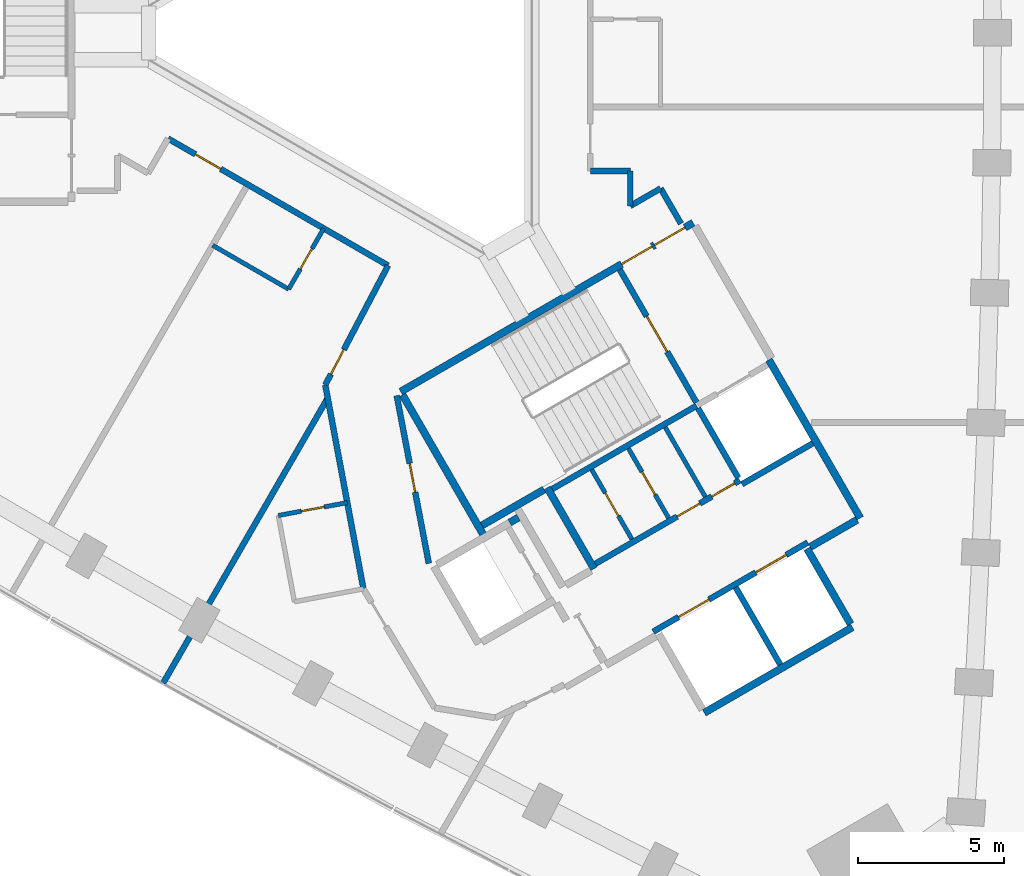
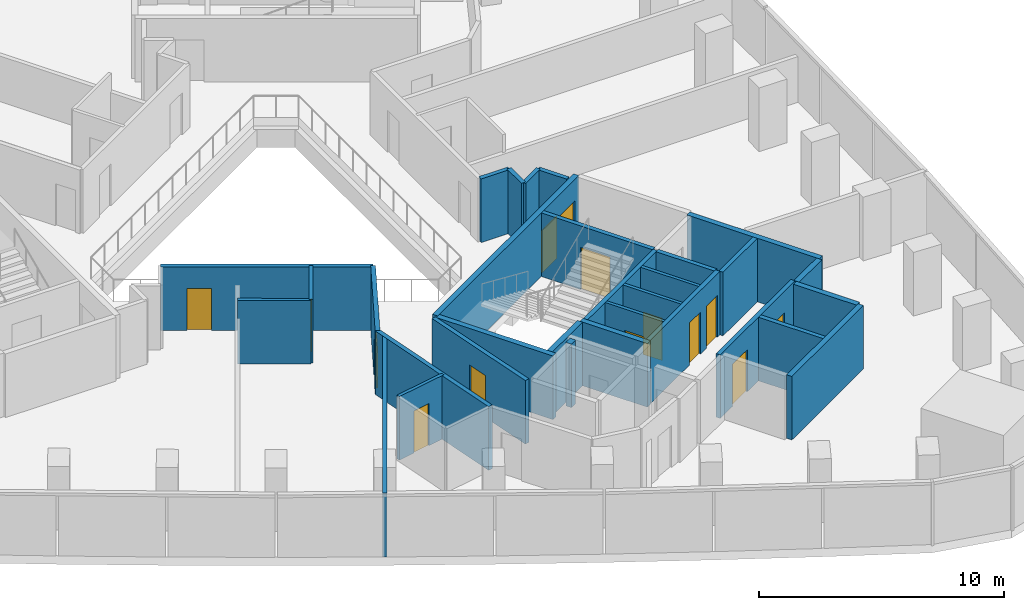
# One storey, part 8 of 12: 31 walls, 14 doors, 14 openings.
"""IFC4 building model written with IfcOpenShell, lengths in metres."""

from ifc_helpers import new_model, si_unit, direction, frame, frame_2d, origin, place, context, subcontext, project, spatial, rectangle, extrude, material, layer, layer_set, type_object, element, fill, save


model = new_model("IFC4")

# Units and contexts
model_context = context("Model", 3, precision=1e-05, world=origin(), true_north=direction((0.0, 1.0)))
body_context = subcontext(model_context, "Body", "Model", "MODEL_VIEW")
ifc_project = project(units=[si_unit("LENGTHUNIT", "METRE"), si_unit("AREAUNIT", "SQUARE_METRE"), si_unit("VOLUMEUNIT", "CUBIC_METRE"), si_unit("PLANEANGLEUNIT", "RADIAN"), si_unit("MASSUNIT", "GRAM", prefix="KILO")], contexts=[model_context])

# Site, building, storey
site_placement = place(None, origin())
site = spatial("IfcSite", under=ifc_project, at=site_placement, CompositionType="ELEMENT")
building_placement = place(site_placement, origin())
building = spatial("IfcBuilding", under=site, at=building_placement, Name="Tamra Quay Hotel Tower", CompositionType="ELEMENT")
storey_placement = place(building_placement, frame((0.0, 0.0, 93.800048828125)))
storey = spatial("IfcBuildingStorey", under=building, at=storey_placement, Name="L22", CompositionType="ELEMENT", Elevation=93.800048828125)

# Wall, openings, doors
ifc_material_1 = material(Name="Concrete M70", Category="concrete")
ifc_layer_1 = layer(ifc_material_1, 0.199951171875)
ifc_layer_set_1 = layer_set([ifc_layer_1], Name="Concrete M70 core wall 200")
wall_type_1 = type_object("IfcWallType", Name="Concrete M70 core wall 200", PredefinedType="SHEAR", material=ifc_layer_set_1)
wall_1_placement = place(storey_placement, frame((9.052490234375, -20.479736328125, 0.0), z_axis=(0.0, 0.0, 1.0), x_axis=(0.866030299012, 0.499991521122, 0.0)))
wall_1 = element("IfcWall", 1, at=wall_1_placement, inside=storey, type_object=wall_type_1, Name="CW2", PredefinedType="SHEAR", context=body_context, shape_type="SweptSolid", body=[
    extrude(rectangle(XDim=6.10009765625, YDim=0.199951171875, at=frame_2d((3.050048828125, 0.0))), origin(), (0.0, 0.0, 1.0), 3.175048828125),
])
opening_1_placement = place(wall_1_placement, frame((1.0, 0.0, 0.0)))
opening_1 = element("IfcOpeningElement", 2, at=opening_1_placement, cuts=wall_1, Name="Opening LD", PredefinedType="OPENING", context=body_context, shape_type="SweptSolid", body=[
    extrude(rectangle(XDim=1.199951171875, YDim=2.10009765625, at=frame_2d((0.60009765625, 1.050048828125))), frame((0.0, 0.10986328125, 0.0), z_axis=(0.0, -1.0, 0.0), x_axis=(1.0, 0.0, 0.0)), (0.0, 0.0, 1.0), 0.219970703125),
])
opening_2_placement = place(wall_1_placement, frame((4.05029296875, 0.0, 0.0)))
opening_2 = element("IfcOpeningElement", 3, at=opening_2_placement, cuts=wall_1, Name="Opening LD", PredefinedType="OPENING", context=body_context, shape_type="SweptSolid", body=[
    extrude(rectangle(XDim=1.199951171875, YDim=2.10009765625, at=frame_2d((0.60009765625, 1.050048828125))), frame((0.0, 0.10986328125, 0.0), z_axis=(0.0, -1.0, 0.0), x_axis=(1.0, 0.0, 0.0)), (0.0, 0.0, 1.0), 0.219970703125),
])
ifc_material_2 = material(Name="Landing door LD 1200 double door sliding")
door_type_1 = type_object("IfcDoorType", Name="Landing door LD 1200 double door sliding", OperationType="DOUBLE_DOOR_SLIDING", PredefinedType="DOOR", material=ifc_material_2)
door_1_placement = place(opening_1_placement, origin())
door_1 = element("IfcDoor", 4, at=door_1_placement, inside=storey, type_object=door_type_1, Name="LD", OperationType="DOUBLE_DOOR_SLIDING", OverallHeight=2.10009765625, OverallWidth=1.199951171875, PredefinedType="DOOR", context=body_context, shape_type="SweptSolid", body=[
    extrude(rectangle(XDim=1.199951171875, YDim=2.10009765625, at=frame_2d((0.60009765625, 1.050048828125))), frame((0.0, 0.02490234375, 0.0), z_axis=(0.0, -1.0, 0.0), x_axis=(1.0, 0.0, 0.0)), (0.0, 0.0, 1.0), 0.050048828125),
])
fill(opening_1, door_1)
door_2_placement = place(opening_2_placement, origin())
door_2 = element("IfcDoor", 5, at=door_2_placement, inside=storey, type_object=door_type_1, Name="LD", OperationType="DOUBLE_DOOR_SLIDING", OverallHeight=2.10009765625, OverallWidth=1.199951171875, PredefinedType="DOOR", context=body_context, shape_type="SweptSolid", body=[
    extrude(rectangle(XDim=1.199951171875, YDim=2.10009765625, at=frame_2d((0.60009765625, 1.050048828125))), frame((0.0, 0.02490234375, 0.0), z_axis=(0.0, -1.0, 0.0), x_axis=(1.0, 0.0, 0.0)), (0.0, 0.0, 1.0), 0.050048828125),
])
fill(opening_2, door_2)

# Wall
wall_2_placement = place(storey_placement, frame((10.537841796875, -12.751953125, 0.0), z_axis=(0.0, 0.0, 1.0), x_axis=(-0.866038630372, -0.499977090179, 0.0)))
element("IfcWall", 6, at=wall_2_placement, inside=storey, type_object=wall_type_1, Name="CW2", PredefinedType="SHEAR", context=body_context, shape_type="SweptSolid", body=[
    extrude(rectangle(XDim=5.698974609375, YDim=0.199951171875, at=frame_2d((2.849609375, 0.0))), origin(), (0.0, 0.0, 1.0), 3.175048828125),
])

# Wall, openings, doors
wall_3_placement = place(storey_placement, frame((7.0771484375, -18.156005859375, 0.0), z_axis=(0.0, 0.0, 1.0), x_axis=(0.866038630372, 0.499977090179, 0.0)))
wall_3 = element("IfcWall", 7, at=wall_3_placement, inside=storey, type_object=wall_type_1, Name="CW2", PredefinedType="SHEAR", context=body_context, shape_type="SweptSolid", body=[
    extrude(rectangle(XDim=5.698974609375, YDim=0.199951171875, at=frame_2d((2.849609375, 0.0))), origin(), (0.0, 0.0, 1.0), 3.175048828125),
])
opening_3_placement = place(wall_3_placement, frame((3.22412109375, 0.0, 0.0)))
opening_3 = element("IfcOpeningElement", 8, at=opening_3_placement, cuts=wall_3, Name="Opening D2", PredefinedType="OPENING", context=body_context, shape_type="SweptSolid", body=[
    extrude(rectangle(XDim=0.89990234375, YDim=2.10009765625, at=frame_2d((0.449951171875, 1.050048828125))), frame((0.0, 0.10986328125, 0.0), z_axis=(0.0, -1.0, 0.0), x_axis=(1.0, 0.0, 0.0)), (0.0, 0.0, 1.0), 0.219970703125),
])
opening_4_placement = place(wall_3_placement, frame((4.59912109375, 0.0, 0.0)))
opening_4 = element("IfcOpeningElement", 9, at=opening_4_placement, cuts=wall_3, Name="Opening D2", PredefinedType="OPENING", context=body_context, shape_type="SweptSolid", body=[
    extrude(rectangle(XDim=0.89990234375, YDim=2.10009765625, at=frame_2d((0.449951171875, 1.050048828125))), frame((0.0, 0.10986328125, 0.0), z_axis=(0.0, -1.0, 0.0), x_axis=(1.0, 0.0, 0.0)), (0.0, 0.0, 1.0), 0.219970703125),
])
ifc_material_3 = material(Name="Core door D2 900x2100 LH")
door_type_2 = type_object("IfcDoorType", Name="Core door D2 900x2100 LH", OperationType="NOTDEFINED", PredefinedType="DOOR", material=ifc_material_3)
door_3_placement = place(opening_3_placement, origin())
door_3 = element("IfcDoor", 10, at=door_3_placement, inside=storey, type_object=door_type_2, Name="D2", OperationType="SINGLE_SWING_LEFT", OverallHeight=2.10009765625, OverallWidth=0.89990234375, PredefinedType="DOOR", context=body_context, shape_type="SweptSolid", body=[
    extrude(rectangle(XDim=0.89990234375, YDim=2.10009765625, at=frame_2d((0.449951171875, 1.050048828125))), frame((0.0, 0.02490234375, 0.0), z_axis=(0.0, -1.0, 0.0), x_axis=(1.0, 0.0, 0.0)), (0.0, 0.0, 1.0), 0.050048828125),
])
fill(opening_3, door_3)
ifc_material_4 = material(Name="Core door D2 900x2100 RH")
door_type_3 = type_object("IfcDoorType", Name="Core door D2 900x2100 RH", OperationType="NOTDEFINED", PredefinedType="DOOR", material=ifc_material_4)
door_4_placement = place(opening_4_placement, origin())
door_4 = element("IfcDoor", 11, at=door_4_placement, inside=storey, type_object=door_type_3, Name="D2", OperationType="SINGLE_SWING_RIGHT", OverallHeight=2.10009765625, OverallWidth=0.89990234375, PredefinedType="DOOR", context=body_context, shape_type="SweptSolid", body=[
    extrude(rectangle(XDim=0.89990234375, YDim=2.10009765625, at=frame_2d((0.449951171875, 1.050048828125))), frame((0.0, 0.02490234375, 0.0), z_axis=(0.0, -1.0, 0.0), x_axis=(1.0, 0.0, 0.0)), (0.0, 0.0, 1.0), 0.050048828125),
])
fill(opening_4, door_4)

# Wall, opening, door
wall_4_placement = place(storey_placement, frame((7.906494140625, -8.094482421875, 0.0), z_axis=(0.0, 0.0, 1.0), x_axis=(0.500024287448, -0.866011380966, 0.0)))
wall_4 = element("IfcWall", 12, at=wall_4_placement, inside=storey, type_object=wall_type_1, Name="CW2", PredefinedType="SHEAR", context=body_context, shape_type="SweptSolid", body=[
    extrude(rectangle(XDim=5.251220703125, YDim=0.199951171875, at=frame_2d((2.62548828125, 0.0))), origin(), (0.0, 0.0, 1.0), 3.175048828125),
])
opening_5_placement = place(wall_4_placement, frame((1.84912109375, 0.0, 0.0)))
opening_5 = element("IfcOpeningElement", 13, at=opening_5_placement, cuts=wall_4, Name="Opening FD2", PredefinedType="OPENING", context=body_context, shape_type="SweptSolid", body=[
    extrude(rectangle(XDim=1.39990234375, YDim=2.10009765625, at=frame_2d((0.699951171875, 1.050048828125))), frame((0.0, 0.10986328125, 0.0), z_axis=(0.0, -1.0, 0.0), x_axis=(1.0, 0.0, 0.0)), (0.0, 0.0, 1.0), 0.219970703125),
])
ifc_material_5 = material(Name="Core door FD2 1400x2100 RH")
door_type_4 = type_object("IfcDoorType", Name="Core door FD2 1400x2100 RH", OperationType="NOTDEFINED", PredefinedType="DOOR", material=ifc_material_5)
door_5_placement = place(opening_5_placement, origin())
door_5 = element("IfcDoor", 14, at=door_5_placement, inside=storey, type_object=door_type_4, Name="FD2", OperationType="SINGLE_SWING_RIGHT", OverallHeight=2.10009765625, OverallWidth=1.39990234375, PredefinedType="DOOR", context=body_context, shape_type="SweptSolid", body=[
    extrude(rectangle(XDim=1.39990234375, YDim=2.10009765625, at=frame_2d((0.699951171875, 1.050048828125))), frame((0.0, 0.02490234375, 0.0), z_axis=(0.0, -1.0, 0.0), x_axis=(1.0, 0.0, 0.0)), (0.0, 0.0, 1.0), 0.050048828125),
])
fill(opening_5, door_5)

# Walls
wall_5_placement = place(storey_placement, frame((11.87451171875, -18.967041015625, 0.0), z_axis=(0.0, 0.0, 1.0), x_axis=(0.49998131003, -0.866036194175, 0.0)))
element("IfcWall", 15, at=wall_5_placement, inside=storey, type_object=wall_type_1, Name="CW2", PredefinedType="SHEAR", context=body_context, shape_type="SweptSolid", body=[
    extrude(rectangle(XDim=3.0478515625, YDim=0.199951171875, at=frame_2d((1.52392578125, 0.0))), origin(), (0.0, 0.0, 1.0), 3.175048828125),
])
wall_6_placement = place(storey_placement, frame((11.962646484375, -15.219970703125, 0.0), z_axis=(0.0, 0.0, 1.0), x_axis=(-0.500034990121, 0.866005201286, 0.0)))
element("IfcWall", 16, at=wall_6_placement, inside=storey, type_object=wall_type_1, Name="CW2", PredefinedType="SHEAR", context=body_context, shape_type="SweptSolid", body=[
    extrude(rectangle(XDim=2.749755859375, YDim=0.199951171875, at=frame_2d((1.375, 0.0))), origin(), (0.0, 0.0, 1.0), 3.175048828125),
])
wall_7_placement = place(storey_placement, frame((14.51171875, -14.037109375, 0.0), z_axis=(0.0, 0.0, 1.0), x_axis=(-0.866044696403, -0.499966582715, 0.0)))
element("IfcWall", 17, at=wall_7_placement, inside=storey, type_object=wall_type_1, Name="CW2", PredefinedType="SHEAR", context=body_context, shape_type="SweptSolid", body=[
    extrude(rectangle(XDim=2.799072265625, YDim=0.199951171875, at=frame_2d((1.3994140625, 0.0))), origin(), (0.0, 0.0, 1.0), 3.175048828125),
])

# Wall, openings, doors
ifc_layer_2 = layer(ifc_material_1, 0.25)
ifc_layer_set_2 = layer_set([ifc_layer_2], Name="Concrete M70 core wall 250")
wall_type_2 = type_object("IfcWallType", Name="Concrete M70 core wall 250", PredefinedType="SHEAR", material=ifc_layer_set_2)
wall_8_placement = place(storey_placement, frame((0.417236328125, -12.27294921875, 0.0), z_axis=(0.0, 0.0, 1.0), x_axis=(0.866021906294, 0.500006057782, 0.0)))
wall_8 = element("IfcWall", 18, at=wall_8_placement, inside=storey, type_object=wall_type_2, Name="CW1", PredefinedType="SHEAR", context=body_context, shape_type="SweptSolid", body=[
    extrude(rectangle(XDim=11.550048828125, YDim=0.25, at=frame_2d((5.77490234375, 0.0))), origin(), (0.0, 0.0, 1.0), 3.175048828125),
])
opening_6_placement = place(wall_8_placement, frame((10.024658203125, 0.0, 0.0)))
opening_6 = element("IfcOpeningElement", 19, at=opening_6_placement, cuts=wall_8, Name="Opening FD1", PredefinedType="OPENING", context=body_context, shape_type="SweptSolid", body=[
    extrude(rectangle(XDim=1.199951171875, YDim=2.10009765625, at=frame_2d((0.60009765625, 1.050048828125))), frame((0.0, 0.135009765625, 0.0), z_axis=(0.0, -1.0, 0.0), x_axis=(1.0, 0.0, 0.0)), (0.0, 0.0, 1.0), 0.27001953125),
])
opening_7_placement = place(wall_8_placement, frame((8.724609375, 0.0, 0.0)))
opening_7 = element("IfcOpeningElement", 20, at=opening_7_placement, cuts=wall_8, Name="Opening FD1", PredefinedType="OPENING", context=body_context, shape_type="SweptSolid", body=[
    extrude(rectangle(XDim=1.199951171875, YDim=2.10009765625, at=frame_2d((0.60009765625, 1.050048828125))), frame((0.0, 0.135009765625, 0.0), z_axis=(0.0, -1.0, 0.0), x_axis=(1.0, 0.0, 0.0)), (0.0, 0.0, 1.0), 0.27001953125),
])
ifc_material_6 = material(Name="Core door FD1 1200x2100 LH")
door_type_5 = type_object("IfcDoorType", Name="Core door FD1 1200x2100 LH", OperationType="NOTDEFINED", PredefinedType="DOOR", material=ifc_material_6)
door_6_placement = place(opening_6_placement, origin())
door_6 = element("IfcDoor", 21, at=door_6_placement, inside=storey, type_object=door_type_5, Name="FD1", OperationType="SINGLE_SWING_LEFT", OverallHeight=2.10009765625, OverallWidth=1.199951171875, PredefinedType="DOOR", context=body_context, shape_type="SweptSolid", body=[
    extrude(rectangle(XDim=1.199951171875, YDim=2.10009765625, at=frame_2d((0.60009765625, 1.050048828125))), frame((0.0, 0.02490234375, 0.0), z_axis=(0.0, -1.0, 0.0), x_axis=(1.0, 0.0, 0.0)), (0.0, 0.0, 1.0), 0.050048828125),
])
fill(opening_6, door_6)
ifc_material_7 = material(Name="Core door FD1 1200x2100 RH")
door_type_6 = type_object("IfcDoorType", Name="Core door FD1 1200x2100 RH", OperationType="NOTDEFINED", PredefinedType="DOOR", material=ifc_material_7)
door_7_placement = place(opening_7_placement, origin())
door_7 = element("IfcDoor", 22, at=door_7_placement, inside=storey, type_object=door_type_6, Name="FD1", OperationType="SINGLE_SWING_RIGHT", OverallHeight=2.10009765625, OverallWidth=1.199951171875, PredefinedType="DOOR", context=body_context, shape_type="SweptSolid", body=[
    extrude(rectangle(XDim=1.199951171875, YDim=2.10009765625, at=frame_2d((0.60009765625, 1.050048828125))), frame((0.0, 0.02490234375, 0.0), z_axis=(0.0, -1.0, 0.0), x_axis=(1.0, 0.0, 0.0)), (0.0, 0.0, 1.0), 0.050048828125),
])
fill(opening_7, door_7)

# Walls
wall_9_placement = place(storey_placement, frame((13.00830078125, -11.18115234375, 0.0), z_axis=(0.0, 0.0, 1.0), x_axis=(0.500004234368, -0.866022959057, 0.0)))
element("IfcWall", 23, at=wall_9_placement, inside=storey, type_object=wall_type_2, Name="CW1", PredefinedType="SHEAR", context=body_context, shape_type="SweptSolid", body=[
    extrude(rectangle(XDim=6.25, YDim=0.25, at=frame_2d((3.125, 0.0))), origin(), (0.0, 0.0, 1.0), 3.175048828125),
])
wall_10_placement = place(storey_placement, frame((15.86474609375, -20.328369140625, 0.0), z_axis=(0.0, 0.0, 1.0), x_axis=(-0.86602852612, -0.499994591916, 0.0)))
element("IfcWall", 24, at=wall_10_placement, inside=storey, type_object=wall_type_2, Name="CW1", PredefinedType="SHEAR", context=body_context, shape_type="SweptSolid", body=[
    extrude(rectangle(XDim=5.85009765625, YDim=0.25, at=frame_2d((2.925048828125, 0.0))), origin(), (0.0, 0.0, 1.0), 3.175048828125),
])
wall_11_placement = place(storey_placement, frame((3.23486328125, -17.15283203125, 0.0), z_axis=(0.0, 0.0, 1.0), x_axis=(-0.500008851346, 0.866020293397, 0.0)))
element("IfcWall", 25, at=wall_11_placement, inside=storey, type_object=wall_type_2, Name="CW1", PredefinedType="SHEAR", context=body_context, shape_type="SweptSolid", body=[
    extrude(rectangle(XDim=5.509765625, YDim=0.25, at=frame_2d((2.7548828125, 0.0))), origin(), (0.0, 0.0, 1.0), 3.175048828125),
])
wall_12_placement = place(storey_placement, frame((7.030517578125, -18.327392578125, 0.0), z_axis=(0.0, 0.0, 1.0), x_axis=(-0.499971222258, 0.866042017984, 0.0)))
element("IfcWall", 26, at=wall_12_placement, inside=storey, type_object=wall_type_2, Name="CW1", PredefinedType="SHEAR", context=body_context, shape_type="SweptSolid", body=[
    extrude(rectangle(XDim=3.199951171875, YDim=0.25, at=frame_2d((1.60009765625, 0.0))), origin(), (0.0, 0.0, 1.0), 3.175048828125),
])
wall_13_placement = place(storey_placement, frame((14.314697265625, -17.643798828125, 0.0), z_axis=(0.0, 0.0, 1.0), x_axis=(0.500023226632, -0.866011993467, 0.0)))
element("IfcWall", 27, at=wall_13_placement, inside=storey, type_object=wall_type_2, Name="CW1", PredefinedType="SHEAR", context=body_context, shape_type="SweptSolid", body=[
    extrude(rectangle(XDim=2.974365234375, YDim=0.25, at=frame_2d((1.4873046875, 0.0))), origin(), (0.0, 0.0, 1.0), 3.175048828125),
])
wall_14_placement = place(storey_placement, frame((5.322021484375, -15.618896484375, 0.0), z_axis=(0.0, 0.0, 1.0), x_axis=(-0.866026229868, -0.499998569178, 0.0)))
element("IfcWall", 28, at=wall_14_placement, inside=storey, type_object=wall_type_2, Name="CW1", PredefinedType="SHEAR", context=body_context, shape_type="SweptSolid", body=[
    extrude(rectangle(XDim=2.44921875, YDim=0.25, at=frame_2d((1.224609375, 0.0))), origin(), (0.0, 0.0, 1.0), 3.175048828125),
])
wall_15_placement = place(storey_placement, frame((16.024658203125, -16.656494140625, 0.0), z_axis=(0.0, 0.0, 1.0), x_axis=(-0.866016279763, -0.500015802937, 0.0)))
element("IfcWall", 29, at=wall_15_placement, inside=storey, type_object=wall_type_2, Name="CW1", PredefinedType="SHEAR", context=body_context, shape_type="SweptSolid", body=[
    extrude(rectangle(XDim=1.84912109375, YDim=0.25, at=frame_2d((0.924560546875, 0.0))), origin(), (0.0, 0.0, 1.0), 3.175048828125),
])
wall_16_placement = place(storey_placement, frame((4.144775390625, -16.748779296875, 0.0), z_axis=(0.0, 0.0, 1.0), x_axis=(0.866185586049, 0.49972245349, 0.0)))
element("IfcWall", 30, at=wall_16_placement, inside=storey, type_object=wall_type_2, Name="CW1", PredefinedType="SHEAR", context=body_context, shape_type="SweptSolid", body=[
    extrude(rectangle(XDim=0.344482421875, YDim=0.25, at=frame_2d((0.17236328125, 0.0))), origin(), (0.0, 0.0, 1.0), 3.175048828125),
])

# Wall, opening, door
ifc_material_8 = material(Name="Blockwork", Category="masonry")
ifc_layer_3 = layer(ifc_material_8, 0.14990234375)
ifc_layer_set_3 = layer_set([ifc_layer_3], Name="Core partition block 150")
wall_type_3 = type_object("IfcWallType", Name="Core partition block 150", PredefinedType="PARTITIONING", material=ifc_layer_set_3)
wall_17_placement = place(storey_placement, frame((8.20654296875, -14.214111328125, 0.0), z_axis=(0.0, 0.0, 1.0), x_axis=(0.50002746344, -0.86600954718, 0.0)))
wall_17 = element("IfcWall", 31, at=wall_17_placement, inside=storey, type_object=wall_type_3, Name="CP1", PredefinedType="PARTITIONING", context=body_context, shape_type="SweptSolid", body=[
    extrude(rectangle(XDim=2.748291015625, YDim=0.14990234375, at=frame_2d((1.3740234375, 0.0))), origin(), (0.0, 0.0, 1.0), 3.175048828125),
])
opening_8_placement = place(wall_17_placement, frame((0.92431640625, 0.0, 0.0)))
opening_8 = element("IfcOpeningElement", 32, at=opening_8_placement, cuts=wall_17, Name="Opening D2", PredefinedType="OPENING", context=body_context, shape_type="SweptSolid", body=[
    extrude(rectangle(XDim=0.89990234375, YDim=2.10009765625, at=frame_2d((0.449951171875, 1.050048828125))), frame((0.0, 0.0849609375, 0.0), z_axis=(0.0, -1.0, 0.0), x_axis=(1.0, 0.0, 0.0)), (0.0, 0.0, 1.0), 0.169921875),
])
door_8_placement = place(opening_8_placement, origin())
door_8 = element("IfcDoor", 33, at=door_8_placement, inside=storey, type_object=door_type_3, Name="D2", OperationType="SINGLE_SWING_RIGHT", OverallHeight=2.10009765625, OverallWidth=0.89990234375, PredefinedType="DOOR", context=body_context, shape_type="SweptSolid", body=[
    extrude(rectangle(XDim=0.89990234375, YDim=2.10009765625, at=frame_2d((0.449951171875, 1.050048828125))), frame((0.0, 0.02490234375, 0.0), z_axis=(0.0, -1.0, 0.0), x_axis=(1.0, 0.0, 0.0)), (0.0, 0.0, 1.0), 0.050048828125),
])
fill(opening_8, door_8)

# Wall
wall_18_placement = place(storey_placement, frame((9.46240234375, -13.489013671875, 0.0), z_axis=(0.0, 0.0, 1.0), x_axis=(0.499988999718, -0.866031754707, 0.0)))
element("IfcWall", 34, at=wall_18_placement, inside=storey, type_object=wall_type_3, Name="CP1", PredefinedType="PARTITIONING", context=body_context, shape_type="SweptSolid", body=[
    extrude(rectangle(XDim=2.74853515625, YDim=0.14990234375, at=frame_2d((1.374267578125, 0.0))), origin(), (0.0, 0.0, 1.0), 3.175048828125),
])

# Wall, opening, door
wall_19_placement = place(storey_placement, frame((6.950927734375, -14.93896484375, 0.0), z_axis=(0.0, 0.0, 1.0), x_axis=(0.499988999718, -0.866031754707, 0.0)))
wall_19 = element("IfcWall", 35, at=wall_19_placement, inside=storey, type_object=wall_type_3, Name="CP1", PredefinedType="PARTITIONING", context=body_context, shape_type="SweptSolid", body=[
    extrude(rectangle(XDim=2.74853515625, YDim=0.14990234375, at=frame_2d((1.374267578125, 0.0))), origin(), (0.0, 0.0, 1.0), 3.175048828125),
])
opening_9_placement = place(wall_19_placement, frame((0.92431640625, 0.0, 0.0)))
opening_9 = element("IfcOpeningElement", 36, at=opening_9_placement, cuts=wall_19, Name="Opening D2", PredefinedType="OPENING", context=body_context, shape_type="SweptSolid", body=[
    extrude(rectangle(XDim=0.89990234375, YDim=2.10009765625, at=frame_2d((0.449951171875, 1.050048828125))), frame((0.0, 0.0849609375, 0.0), z_axis=(0.0, -1.0, 0.0), x_axis=(1.0, 0.0, 0.0)), (0.0, 0.0, 1.0), 0.169921875),
])
door_9_placement = place(opening_9_placement, origin())
door_9 = element("IfcDoor", 37, at=door_9_placement, inside=storey, type_object=door_type_2, Name="D2", OperationType="SINGLE_SWING_LEFT", OverallHeight=2.10009765625, OverallWidth=0.89990234375, PredefinedType="DOOR", context=body_context, shape_type="SweptSolid", body=[
    extrude(rectangle(XDim=0.89990234375, YDim=2.10009765625, at=frame_2d((0.449951171875, 1.050048828125))), frame((0.0, 0.02490234375, 0.0), z_axis=(0.0, -1.0, 0.0), x_axis=(1.0, 0.0, 0.0)), (0.0, 0.0, 1.0), 0.050048828125),
])
fill(opening_9, door_9)

ifc_material_9 = material(Name="Partition corridor wall")
ifc_layer_4 = layer(ifc_material_9, 0.199951171875)
ifc_layer_set_4 = layer_set([ifc_layer_4], Name="Partition corridor wall")
wall_type_4 = type_object("IfcWallType", Name="Partition corridor wall", PredefinedType="PARTITIONING", material=ifc_layer_set_4)
wall_20_placement = place(storey_placement, frame((-7.5390625, -3.614990234375, 0.0), z_axis=(0.0, 0.0, 1.0), x_axis=(0.866057854762, -0.499943789046, 0.0)))
wall_20 = element("IfcWall", 38, at=wall_20_placement, inside=storey, type_object=wall_type_4, Name="W-C", PredefinedType="PARTITIONING", context=body_context, shape_type="SweptSolid", body=[
    extrude(rectangle(XDim=8.68896484375, YDim=0.199951171875, at=frame_2d((4.344482421875, 0.0))), origin(), (0.0, 0.0, 1.0), 3.175048828125),
])
opening_10_placement = place(wall_20_placement, frame((1.080078125, 0.0, 0.0)))
opening_10 = element("IfcOpeningElement", 39, at=opening_10_placement, cuts=wall_20, Name="Opening L22-D013", PredefinedType="OPENING", context=body_context, shape_type="SweptSolid", body=[
    extrude(rectangle(XDim=1.0, YDim=2.10009765625, at=frame_2d((0.5, 1.050048828125))), frame((0.0, 0.10986328125, 0.0), z_axis=(0.0, -1.0, 0.0), x_axis=(1.0, 0.0, 0.0)), (0.0, 0.0, 1.0), 0.219970703125),
])
ifc_material_10 = material(Name="Door guest room 1000x2100")
door_type_7 = type_object("IfcDoorType", Name="Door guest room 1000x2100", OperationType="NOTDEFINED", PredefinedType="DOOR", material=ifc_material_10)
door_10_placement = place(opening_10_placement, frame((1.0, 0.0, 0.0), z_axis=(0.0, 0.0, 1.0), x_axis=(-1.0, 0.0, 0.0)))
door_10 = element("IfcDoor", 40, at=door_10_placement, inside=storey, type_object=door_type_7, Name="L22-D013", OperationType="SINGLE_SWING_LEFT", OverallHeight=2.10009765625, OverallWidth=1.0, PredefinedType="DOOR", context=body_context, shape_type="SweptSolid", body=[
    extrude(rectangle(XDim=1.0, YDim=2.10009765625, at=frame_2d((0.5, 1.050048828125))), frame((0.0, 0.02490234375, 0.0), z_axis=(0.0, -1.0, 0.0), x_axis=(1.0, 0.0, 0.0)), (0.0, 0.0, 1.0), 0.050048828125),
])
fill(opening_10, door_10)

# Wall
wall_21_placement = place(storey_placement, frame((-2.162109375, -12.0419921875, 0.0), z_axis=(0.0, 0.0, 1.0), x_axis=(0.183916574427, -0.982941856699, 0.0)))
element("IfcWall", 41, at=wall_21_placement, inside=storey, type_object=wall_type_4, Name="W-C", PredefinedType="PARTITIONING", context=body_context, shape_type="SweptSolid", body=[
    extrude(rectangle(XDim=7.093994140625, YDim=0.199951171875, at=frame_2d((3.546875, 0.0))), origin(), (0.0, 0.0, 1.0), 3.175048828125),
])

# Wall, opening, door
wall_22_placement = place(storey_placement, frame((-2.162109375, -12.041015625, 0.0), z_axis=(0.0, 0.0, 1.0), x_axis=(0.465704986205, 0.884940035157, 0.0)))
wall_22 = element("IfcWall", 42, at=wall_22_placement, inside=storey, type_object=wall_type_4, Name="W-C", PredefinedType="PARTITIONING", context=body_context, shape_type="SweptSolid", body=[
    extrude(rectangle(XDim=4.61279296875, YDim=0.199951171875, at=frame_2d((2.306396484375, 0.0))), origin(), (0.0, 0.0, 1.0), 3.175048828125),
])
opening_11_placement = place(wall_22_placement, frame((0.41259765625, 0.0, 0.0)))
opening_11 = element("IfcOpeningElement", 43, at=opening_11_placement, cuts=wall_22, Name="Opening L22-D014", PredefinedType="OPENING", context=body_context, shape_type="SweptSolid", body=[
    extrude(rectangle(XDim=0.949951171875, YDim=2.10009765625, at=frame_2d((0.47509765625, 1.050048828125))), frame((0.0, 0.10986328125, 0.0), z_axis=(0.0, -1.0, 0.0), x_axis=(1.0, 0.0, 0.0)), (0.0, 0.0, 1.0), 0.219970703125),
])
ifc_material_11 = material(Name="Door guest room 950x2100")
door_type_8 = type_object("IfcDoorType", Name="Door guest room 950x2100", OperationType="NOTDEFINED", PredefinedType="DOOR", material=ifc_material_11)
door_11_placement = place(opening_11_placement, origin())
door_11 = element("IfcDoor", 44, at=door_11_placement, inside=storey, type_object=door_type_8, Name="L22-D014", OperationType="SINGLE_SWING_LEFT", OverallHeight=2.10009765625, OverallWidth=0.949951171875, PredefinedType="DOOR", context=body_context, shape_type="SweptSolid", body=[
    extrude(rectangle(XDim=0.949951171875, YDim=2.10009765625, at=frame_2d((0.47509765625, 1.050048828125))), frame((0.0, 0.02490234375, 0.0), z_axis=(0.0, -1.0, 0.0), x_axis=(1.0, 0.0, 0.0)), (0.0, 0.0, 1.0), 0.050048828125),
])
fill(opening_11, door_11)

wall_23_placement = place(storey_placement, frame((0.28076171875, -12.40625, 0.0), z_axis=(0.0, 0.0, 1.0), x_axis=(0.187814940093, -0.982204433037, 0.0)))
wall_23 = element("IfcWall", 45, at=wall_23_placement, inside=storey, type_object=wall_type_4, Name="W-C", PredefinedType="PARTITIONING", context=body_context, shape_type="SweptSolid", body=[
    extrude(rectangle(XDim=5.841796875, YDim=0.199951171875, at=frame_2d((2.9208984375, 0.0))), origin(), (0.0, 0.0, 1.0), 3.175048828125),
])
opening_12_placement = place(wall_23_placement, frame((2.36328125, 0.0, 0.0)))
opening_12 = element("IfcOpeningElement", 46, at=opening_12_placement, cuts=wall_23, Name="Opening L22-D016", PredefinedType="OPENING", context=body_context, shape_type="SweptSolid", body=[
    extrude(rectangle(XDim=1.0, YDim=2.10009765625, at=frame_2d((0.5, 1.050048828125))), frame((0.0, 0.10986328125, 0.0), z_axis=(0.0, -1.0, 0.0), x_axis=(1.0, 0.0, 0.0)), (0.0, 0.0, 1.0), 0.219970703125),
])
door_12_placement = place(opening_12_placement, origin())
door_12 = element("IfcDoor", 47, at=door_12_placement, inside=storey, type_object=door_type_7, Name="L22-D016", OperationType="SINGLE_SWING_LEFT", OverallHeight=2.10009765625, OverallWidth=1.0, PredefinedType="DOOR", context=body_context, shape_type="SweptSolid", body=[
    extrude(rectangle(XDim=1.0, YDim=2.10009765625, at=frame_2d((0.5, 1.050048828125))), frame((0.0, 0.02490234375, 0.0), z_axis=(0.0, -1.0, 0.0), x_axis=(1.0, 0.0, 0.0)), (0.0, 0.0, 1.0), 0.050048828125),
])
fill(opening_12, door_12)

# Walls
wall_24_placement = place(storey_placement, frame((6.89990234375, -4.720947265625, 0.0), z_axis=(0.0, 0.0, 1.0), x_axis=(1.0, 0.0, 0.0)))
element("IfcWall", 48, at=wall_24_placement, inside=storey, type_object=wall_type_4, Name="W-C", PredefinedType="PARTITIONING", context=body_context, shape_type="SweptSolid", body=[
    extrude(rectangle(XDim=1.3681640625, YDim=0.199951171875, at=frame_2d((0.68408203125, 0.0))), origin(), (0.0, 0.0, 1.0), 3.175048828125),
])
wall_25_placement = place(storey_placement, frame((8.26806640625, -5.9208984375, 0.0), z_axis=(0.0, 0.0, 1.0), x_axis=(0.0, 1.0, 0.0)))
element("IfcWall", 49, at=wall_25_placement, inside=storey, type_object=wall_type_4, Name="W-C", PredefinedType="PARTITIONING", context=body_context, shape_type="SweptSolid", body=[
    extrude(rectangle(XDim=1.199951171875, YDim=0.199951171875, at=frame_2d((0.60009765625, 0.0))), origin(), (0.0, 0.0, 1.0), 3.175048828125),
])
wall_26_placement = place(storey_placement, frame((8.26806640625, -5.9208984375, 0.0), z_axis=(0.0, 0.0, 1.0), x_axis=(0.866344856625, 0.499446282797, 0.0)))
element("IfcWall", 50, at=wall_26_placement, inside=storey, type_object=wall_type_4, Name="W-C", PredefinedType="PARTITIONING", context=body_context, shape_type="SweptSolid", body=[
    extrude(rectangle(XDim=1.198974609375, YDim=0.199951171875, at=frame_2d((0.599609375, 0.0))), origin(), (0.0, 0.0, 1.0), 3.175048828125),
])
wall_27_placement = place(storey_placement, frame((9.306884765625, -5.322021484375, 0.0), z_axis=(0.0, 0.0, 1.0), x_axis=(0.500295157811, -0.865854927266, 0.0)))
element("IfcWall", 51, at=wall_27_placement, inside=storey, type_object=wall_type_4, Name="W-C", PredefinedType="PARTITIONING", context=body_context, shape_type="SweptSolid", body=[
    extrude(rectangle(XDim=1.389892578125, YDim=0.199951171875, at=frame_2d((0.69482421875, 0.0))), origin(), (0.0, 0.0, 1.0), 3.175048828125),
])
ifc_material_12 = material(Name="Partition en-suite wall")
ifc_layer_5 = layer(ifc_material_12, 0.14990234375)
ifc_layer_set_5 = layer_set([ifc_layer_5], Name="Partition en-suite wall")
wall_type_5 = type_object("IfcWallType", Name="Partition en-suite wall", PredefinedType="PARTITIONING", material=ifc_layer_set_5)
wall_28_placement = place(storey_placement, frame((-6.011962890625, -7.26708984375, 0.0), z_axis=(0.0, 0.0, 1.0), x_axis=(0.866010750942, -0.50002537861, 0.0)))
element("IfcWall", 52, at=wall_28_placement, inside=storey, type_object=wall_type_5, Name="W-E", PredefinedType="PARTITIONING", context=body_context, shape_type="SweptSolid", body=[
    extrude(rectangle(XDim=2.999755859375, YDim=0.14990234375, at=frame_2d((1.5, 0.0))), origin(), (0.0, 0.0, 1.0), 3.175048828125),
])

# Wall, opening, door
wall_29_placement = place(storey_placement, frame((-3.76806640625, -16.507080078125, 0.0), z_axis=(0.0, 0.0, 1.0), x_axis=(0.982960745934, 0.183815592249, 0.0)))
wall_29 = element("IfcWall", 53, at=wall_29_placement, inside=storey, type_object=wall_type_5, Name="W-E", PredefinedType="PARTITIONING", context=body_context, shape_type="SweptSolid", body=[
    extrude(rectangle(XDim=2.400146484375, YDim=0.14990234375, at=frame_2d((1.2001953125, 0.0))), origin(), (0.0, 0.0, 1.0), 3.175048828125),
])
opening_13_placement = place(wall_29_placement, frame((0.799560546875, 0.0, 0.0)))
opening_13 = element("IfcOpeningElement", 54, at=opening_13_placement, cuts=wall_29, Name="Opening L22-D018", PredefinedType="OPENING", context=body_context, shape_type="SweptSolid", body=[
    extrude(rectangle(XDim=0.800048828125, YDim=2.10009765625, at=frame_2d((0.39990234375, 1.050048828125))), frame((0.0, 0.0849609375, 0.0), z_axis=(0.0, -1.0, 0.0), x_axis=(1.0, 0.0, 0.0)), (0.0, 0.0, 1.0), 0.169921875),
])
ifc_material_13 = material(Name="Door en-suite 800x2100")
door_type_9 = type_object("IfcDoorType", Name="Door en-suite 800x2100", OperationType="NOTDEFINED", PredefinedType="DOOR", material=ifc_material_13)
door_13_placement = place(opening_13_placement, frame((0.800048828125, 0.0, 0.0), z_axis=(0.0, 0.0, 1.0), x_axis=(-1.0, 0.0, 0.0)))
door_13 = element("IfcDoor", 55, at=door_13_placement, inside=storey, type_object=door_type_9, Name="L22-D018", OperationType="SINGLE_SWING_LEFT", OverallHeight=2.10009765625, OverallWidth=0.800048828125, PredefinedType="DOOR", context=body_context, shape_type="SweptSolid", body=[
    extrude(rectangle(XDim=0.800048828125, YDim=2.10009765625, at=frame_2d((0.39990234375, 1.050048828125))), frame((0.0, 0.02490234375, 0.0), z_axis=(0.0, -1.0, 0.0), x_axis=(1.0, 0.0, 0.0)), (0.0, 0.0, 1.0), 0.050048828125),
])
fill(opening_13, door_13)

wall_30_placement = place(storey_placement, frame((-3.4140625, -8.76708984375, 0.0), z_axis=(0.0, 0.0, 1.0), x_axis=(0.500045362686, 0.865999212041, 0.0)))
wall_30 = element("IfcWall", 56, at=wall_30_placement, inside=storey, type_object=wall_type_5, Name="W-E", PredefinedType="PARTITIONING", context=body_context, shape_type="SweptSolid", body=[
    extrude(rectangle(XDim=2.399658203125, YDim=0.14990234375, at=frame_2d((1.19970703125, 0.0))), origin(), (0.0, 0.0, 1.0), 3.175048828125),
])
opening_14_placement = place(wall_30_placement, frame((0.7998046875, 0.0, 0.0)))
opening_14 = element("IfcOpeningElement", 57, at=opening_14_placement, cuts=wall_30, Name="Opening L22-D015", PredefinedType="OPENING", context=body_context, shape_type="SweptSolid", body=[
    extrude(rectangle(XDim=0.800048828125, YDim=2.10009765625, at=frame_2d((0.39990234375, 1.050048828125))), frame((0.0, 0.0849609375, 0.0), z_axis=(0.0, -1.0, 0.0), x_axis=(1.0, 0.0, 0.0)), (0.0, 0.0, 1.0), 0.169921875),
])
door_14_placement = place(opening_14_placement, frame((0.800048828125, 0.0, 0.0), z_axis=(0.0, 0.0, 1.0), x_axis=(-1.0, 0.0, 0.0)))
door_14 = element("IfcDoor", 58, at=door_14_placement, inside=storey, type_object=door_type_9, Name="L22-D015", OperationType="SINGLE_SWING_LEFT", OverallHeight=2.10009765625, OverallWidth=0.800048828125, PredefinedType="DOOR", context=body_context, shape_type="SweptSolid", body=[
    extrude(rectangle(XDim=0.800048828125, YDim=2.10009765625, at=frame_2d((0.39990234375, 1.050048828125))), frame((0.0, 0.02490234375, 0.0), z_axis=(0.0, -1.0, 0.0), x_axis=(1.0, 0.0, 0.0)), (0.0, 0.0, 1.0), 0.050048828125),
])
fill(opening_14, door_14)

# Wall
ifc_material_14 = material(Name="Partition party wall")
ifc_layer_6 = layer(ifc_material_14, 0.199951171875)
ifc_layer_set_6 = layer_set([ifc_layer_6], Name="Partition party wall")
wall_type_6 = type_object("IfcWallType", Name="Partition party wall", PredefinedType="PARTITIONING", material=ifc_layer_set_6)
wall_31_placement = place(storey_placement, frame((-7.707763671875, -22.240234375, 0.0), z_axis=(0.0, 0.0, 1.0), x_axis=(0.500000860229, 0.86602490713, 0.0)))
element("IfcWall", 59, at=wall_31_placement, inside=storey, type_object=wall_type_6, Name="W-P", PredefinedType="PARTITIONING", context=body_context, shape_type="SweptSolid", body=[
    extrude(rectangle(XDim=11.259765625, YDim=0.199951171875, at=frame_2d((5.6298828125, 0.0))), origin(), (0.0, 0.0, 1.0), 3.175048828125),
])

save(model, "model.ifc")
